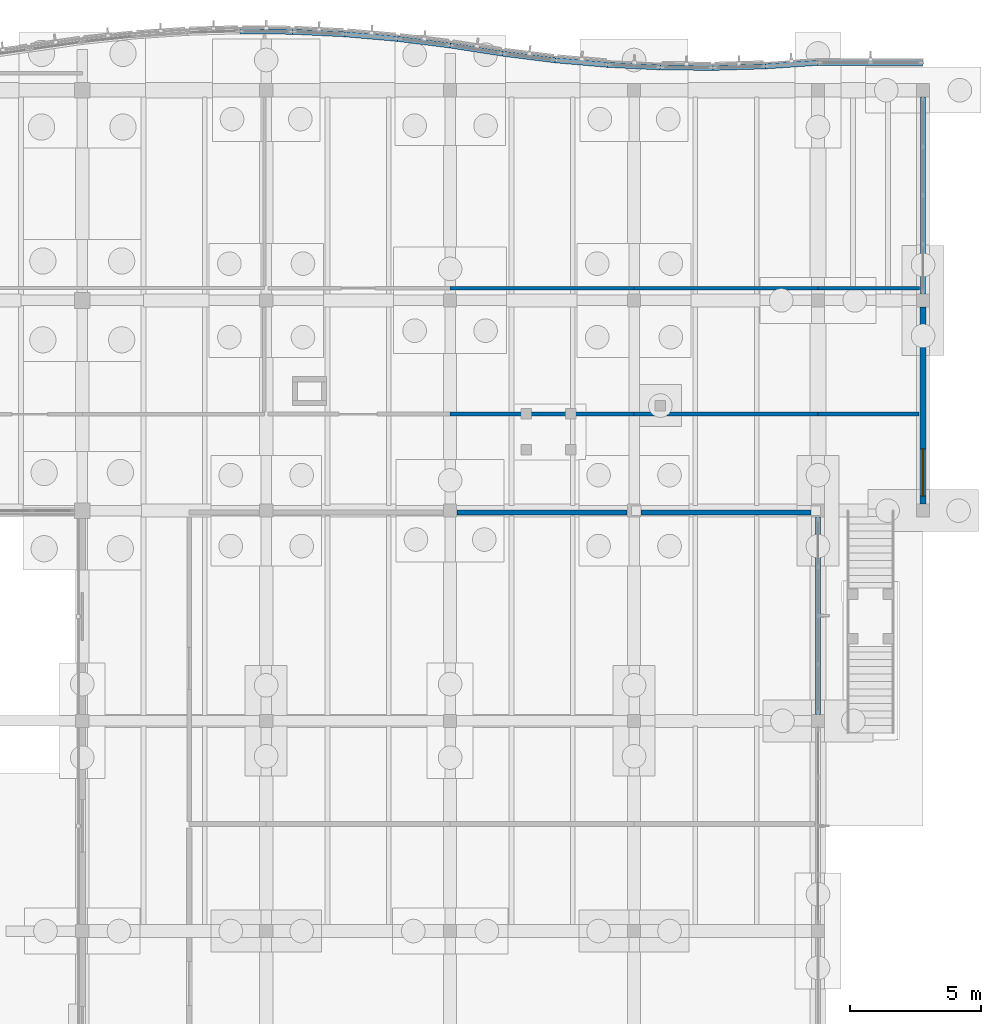
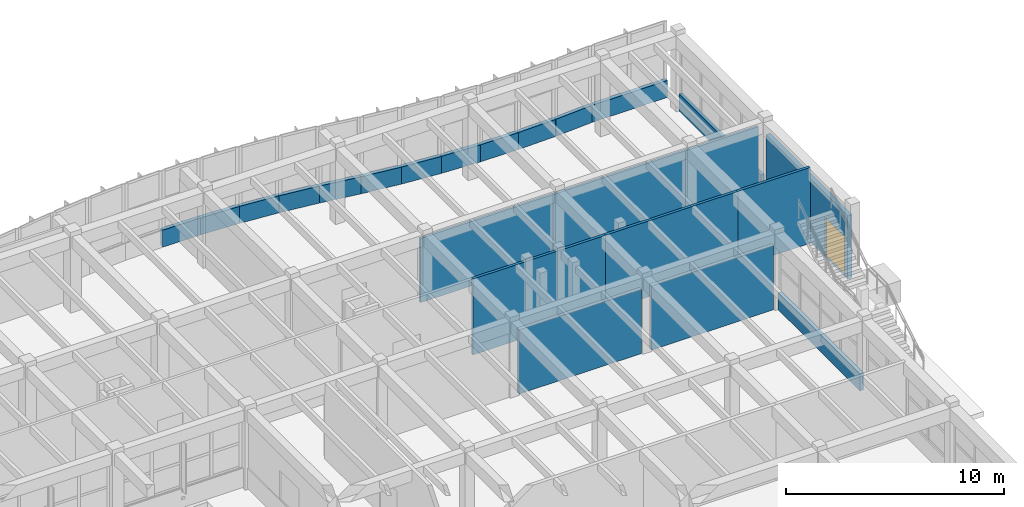
# One storey, part 71 of 99: 23 walls, 1 door, 1 opening.
"""IFC4 building model written with IfcOpenShell, lengths in metres."""

from ifc_helpers import new_model, si_unit, direction, frame, frame_2d, origin, place, context, subcontext, project, spatial, rectangle, extrude, material, layer, layer_set, type_object, element, fill, save


model = new_model("IFC4")

# Units and contexts
model_context = context("Model", 3, precision=1e-05, world=origin(), true_north=direction((0.0, 1.0)))
body_context = subcontext(model_context, "Body", "Model", "MODEL_VIEW")
ifc_project = project(units=[si_unit("LENGTHUNIT", "METRE"), si_unit("AREAUNIT", "SQUARE_METRE"), si_unit("VOLUMEUNIT", "CUBIC_METRE"), si_unit("PLANEANGLEUNIT", "RADIAN"), si_unit("MASSUNIT", "GRAM", prefix="KILO")], contexts=[model_context])

# Site, building, storey
site_placement = place(None, origin())
site = spatial("IfcSite", under=ifc_project, at=site_placement, CompositionType="ELEMENT")
building_placement = place(site_placement, origin())
building = spatial("IfcBuilding", under=site, at=building_placement, Name="Tonlespit Floodbar School", CompositionType="ELEMENT")
storey_placement = place(building_placement, origin())
storey = spatial("IfcBuildingStorey", under=building, at=storey_placement, Name="L00", CompositionType="ELEMENT", Elevation=0.0)

# Wall, opening, door
ifc_material_1 = material(Name="Precast concrete C40/50", Category="concrete")
ifc_layer_1 = layer(ifc_material_1, 0.239990234375)
ifc_layer_set_1 = layer_set([ifc_layer_1], Name="Precast concrete C40/50")
wall_type_1 = type_object("IfcWallType", Name="ExtWall_Rainscreen_240", PredefinedType="SOLIDWALL", material=ifc_layer_set_1)
wall_1_placement = place(storey_placement, frame((180.0, 111.75, 0.0), z_axis=(0.0, 0.0, 1.0), x_axis=(0.0, -1.0, 0.0)))
wall_1 = element("IfcWall", 1, at=wall_1_placement, inside=storey, type_object=wall_type_1, Name="L00 external wall 0542", PredefinedType="SOLIDWALL", context=body_context, shape_type="SweptSolid", body=[
    extrude(rectangle(XDim=7.5, YDim=0.239990234375, at=frame_2d((3.75, 0.0))), origin(), (0.0, 0.0, 1.0), 3.5400390625),
])
opening_placement = place(wall_1_placement, frame((5.39990234375, 0.0, 0.0)))
opening = element("IfcOpeningElement", 2, at=opening_placement, cuts=wall_1, Name="Opening D-EX-028", PredefinedType="OPENING", context=body_context, shape_type="SweptSolid", body=[
    extrude(rectangle(XDim=1.800048828125, YDim=2.199951171875, at=frame_2d((0.89990234375, 1.10009765625))), frame((0.0, 0.1298828125, 0.0), z_axis=(0.0, -1.0, 0.0), x_axis=(1.0, 0.0, 0.0)), (0.0, 0.0, 1.0), 0.260009765625),
])
ifc_material_2 = material(Name="Anodised Aluminium", Category="aluminium")
door_type = type_object("IfcDoorType", Name="ExtDoor_Exit_1800x2200", OperationType="NOTDEFINED", PredefinedType="DOOR", material=ifc_material_2)
door_placement = place(opening_placement, origin())
door = element("IfcDoor", 3, at=door_placement, inside=storey, type_object=door_type, Name="Final exit door D-EX-028", OperationType="SINGLE_SWING_RIGHT", OverallHeight=2.199951171875, OverallWidth=1.800048828125, PredefinedType="DOOR", context=body_context, shape_type="SweptSolid", body=[
    extrude(rectangle(XDim=1.800048828125, YDim=2.199951171875, at=frame_2d((0.89990234375, 1.10009765625))), frame((0.0, 0.02490234375, 0.0), z_axis=(0.0, -1.0, 0.0), x_axis=(1.0, 0.0, 0.0)), (0.0, 0.0, 1.0), 0.050048828125),
])
fill(opening, door)

# Walls
ifc_material_3 = material(Name="White Architectural Precast concrete C40/50", Category="concrete")
ifc_layer_2 = layer(ifc_material_3, 0.18505859375)
ifc_layer_set_2 = layer_set([ifc_layer_2], Name="White Architectural Precast concrete C40/50")
wall_type_2 = type_object("IfcWallType", Name="ExtWall_Spandrel_White_185", PredefinedType="SOLIDWALL", material=ifc_layer_set_2)
for number, where, z_axis, x_axis, name in (
    (4, (180.0, 119.75, 0.0), (0.0, 0.0, 1.0), (0.0, -1.0, 0.0), "L00 spandrel wall 0541"),
    (5, (176.0, 103.75, 0.0), (0.0, 0.0, 1.0), (0.0, -1.0, 0.0), "L00 spandrel wall 0547"),
):
    element("IfcWall", number, at=place(storey_placement, frame(where, z_axis=z_axis, x_axis=x_axis)), inside=storey, type_object=wall_type_2, Name=name, PredefinedType="SOLIDWALL", context=body_context, shape_type="SweptSolid", body=[
        extrude(rectangle(XDim=7.5, YDim=0.18505859375, at=frame_2d((3.75, 0.0))), origin(), (0.0, 0.0, 1.0), 0.949951171875),
    ])
ifc_layer_3 = layer(ifc_material_3, 0.199951171875)
ifc_layer_set_3 = layer_set([ifc_layer_3], Name="White Architectural Precast concrete C40/50")
wall_type_3 = type_object("IfcWallType", Name="ExtWall_Spandrel_White_200", PredefinedType="SOLIDWALL", material=ifc_layer_set_3)
wall_2_placement = place(storey_placement, frame((154.0, 122.2470703125, 0.0), z_axis=(0.0, 0.0, 1.0), x_axis=(0.999953504169, -0.009643106302, 0.0)))
element("IfcWall", 6, at=wall_2_placement, inside=storey, type_object=wall_type_3, Name="L00 spandrel wall 0529", PredefinedType="SOLIDWALL", context=body_context, shape_type="SweptSolid", body=[
    extrude(rectangle(XDim=2.0, YDim=0.199951171875, at=frame_2d((1.0, 0.0))), origin(), (0.0, 0.0, 1.0), 0.949951171875),
])
wall_3_placement = place(storey_placement, frame((156.0, 122.227783203125, 0.0), z_axis=(0.0, 0.0, 1.0), x_axis=(0.99884540439, -0.048040172037, 0.0)))
element("IfcWall", 7, at=wall_3_placement, inside=storey, type_object=wall_type_3, Name="L00 spandrel wall 0530", PredefinedType="SOLIDWALL", context=body_context, shape_type="SweptSolid", body=[
    extrude(rectangle(XDim=2.002197265625, YDim=0.199951171875, at=frame_2d((1.0009765625, 0.0))), origin(), (0.0, 0.0, 1.0), 0.949951171875),
])
wall_4_placement = place(storey_placement, frame((158.0, 122.131591796875, 0.0), z_axis=(0.0, 0.0, 1.0), x_axis=(0.996244237948, -0.086587633962, 0.0)))
element("IfcWall", 8, at=wall_4_placement, inside=storey, type_object=wall_type_3, Name="L00 spandrel wall 0531", PredefinedType="SOLIDWALL", context=body_context, shape_type="SweptSolid", body=[
    extrude(rectangle(XDim=2.007568359375, YDim=0.199951171875, at=frame_2d((1.00390625, 0.0))), origin(), (0.0, 0.0, 1.0), 0.949951171875),
])
wall_5_placement = place(storey_placement, frame((160.0, 121.957763671875, 0.0), z_axis=(0.0, 0.0, 1.0), x_axis=(0.992158168336, -0.124988675503, 0.0)))
element("IfcWall", 9, at=wall_5_placement, inside=storey, type_object=wall_type_3, Name="L00 spandrel wall 0532", PredefinedType="SOLIDWALL", context=body_context, shape_type="SweptSolid", body=[
    extrude(rectangle(XDim=2.015869140625, YDim=0.199951171875, at=frame_2d((1.0078125, 0.0))), origin(), (0.0, 0.0, 1.0), 0.949951171875),
])
wall_6_placement = place(storey_placement, frame((162.0, 121.705810546875, 0.0), z_axis=(0.0, 0.0, 1.0), x_axis=(0.988085509852, -0.153905897287, 0.0)))
element("IfcWall", 10, at=wall_6_placement, inside=storey, type_object=wall_type_3, Name="L00 spandrel wall 0533", PredefinedType="SOLIDWALL", context=body_context, shape_type="SweptSolid", body=[
    extrude(rectangle(XDim=2.024169921875, YDim=0.199951171875, at=frame_2d((1.01220703125, 0.0))), origin(), (0.0, 0.0, 1.0), 0.949951171875),
])
wall_7_placement = place(storey_placement, frame((164.0, 121.394287109375, 0.0), z_axis=(0.0, 0.0, 1.0), x_axis=(0.992158168336, -0.124988675503, 0.0)))
element("IfcWall", 11, at=wall_7_placement, inside=storey, type_object=wall_type_3, Name="L00 spandrel wall 0534", PredefinedType="SOLIDWALL", context=body_context, shape_type="SweptSolid", body=[
    extrude(rectangle(XDim=2.015869140625, YDim=0.199951171875, at=frame_2d((1.0078125, 0.0))), origin(), (0.0, 0.0, 1.0), 0.949951171875),
])
wall_8_placement = place(storey_placement, frame((166.0, 121.142333984375, 0.0), z_axis=(0.0, 0.0, 1.0), x_axis=(0.996244237948, -0.086587633962, 0.0)))
element("IfcWall", 12, at=wall_8_placement, inside=storey, type_object=wall_type_3, Name="L00 spandrel wall 0535", PredefinedType="SOLIDWALL", context=body_context, shape_type="SweptSolid", body=[
    extrude(rectangle(XDim=2.007568359375, YDim=0.199951171875, at=frame_2d((1.00390625, 0.0))), origin(), (0.0, 0.0, 1.0), 0.949951171875),
])
wall_9_placement = place(storey_placement, frame((168.0, 120.968505859375, 0.0), z_axis=(0.0, 0.0, 1.0), x_axis=(0.99884540439, -0.048040172037, 0.0)))
element("IfcWall", 13, at=wall_9_placement, inside=storey, type_object=wall_type_3, Name="L00 spandrel wall 0536", PredefinedType="SOLIDWALL", context=body_context, shape_type="SweptSolid", body=[
    extrude(rectangle(XDim=2.002197265625, YDim=0.199951171875, at=frame_2d((1.0009765625, 0.0))), origin(), (0.0, 0.0, 1.0), 0.949951171875),
])
wall_10_placement = place(storey_placement, frame((170.0, 120.872314453125, 0.0), z_axis=(0.0, 0.0, 1.0), x_axis=(0.999953504169, -0.009643106302, 0.0)))
element("IfcWall", 14, at=wall_10_placement, inside=storey, type_object=wall_type_3, Name="L00 spandrel wall 0537", PredefinedType="SOLIDWALL", context=body_context, shape_type="SweptSolid", body=[
    extrude(rectangle(XDim=2.0, YDim=0.199951171875, at=frame_2d((1.0, 0.0))), origin(), (0.0, 0.0, 1.0), 0.949951171875),
])
wall_11_placement = place(storey_placement, frame((172.0, 120.85302734375, 0.0), z_axis=(0.0, 0.0, 1.0), x_axis=(0.999585290582, 0.028796646555, 0.0)))
element("IfcWall", 15, at=wall_11_placement, inside=storey, type_object=wall_type_3, Name="L00 spandrel wall 0538", PredefinedType="SOLIDWALL", context=body_context, shape_type="SweptSolid", body=[
    extrude(rectangle(XDim=2.000732421875, YDim=0.199951171875, at=frame_2d((1.00048828125, 0.0))), origin(), (0.0, 0.0, 1.0), 0.949951171875),
])
wall_12_placement = place(storey_placement, frame((174.0, 120.91064453125, 0.0), z_axis=(0.0, 0.0, 1.0), x_axis=(0.997729302978, 0.067351599676, 0.0)))
element("IfcWall", 16, at=wall_12_placement, inside=storey, type_object=wall_type_3, Name="L00 spandrel wall 0539", PredefinedType="SOLIDWALL", context=body_context, shape_type="SweptSolid", body=[
    extrude(rectangle(XDim=2.004638671875, YDim=0.199951171875, at=frame_2d((1.00244140625, 0.0))), origin(), (0.0, 0.0, 1.0), 0.949951171875),
])
wall_13_placement = place(storey_placement, frame((176.0, 121.045654296875, 0.0), z_axis=(0.0, 0.0, 1.0), x_axis=(1.0, 0.0, 0.0)))
element("IfcWall", 17, at=wall_13_placement, inside=storey, type_object=wall_type_3, Name="L00 spandrel wall 0540", PredefinedType="SOLIDWALL", context=body_context, shape_type="SweptSolid", body=[
    extrude(rectangle(XDim=4.0, YDim=0.199951171875, at=frame_2d((2.0, 0.0))), origin(), (0.0, 0.0, 1.0), 0.949951171875),
])
ifc_material_4 = material(Name="Gypsum Plasterboard Partition")
ifc_layer_4 = layer(ifc_material_4, 0.1298828125)
ifc_layer_set_4 = layer_set([ifc_layer_4], Name="Gypsum Plasterboard Partition")
wall_type_4 = type_object("IfcWallType", Name="Partition_Gyp_130", PredefinedType="PARTITIONING", material=ifc_layer_set_4)
for number, where, z_axis, x_axis, name in (
    (18, (162.0, 112.469970703125, 0.0), (0.0, 0.0, 1.0), (1.0, 0.0, 0.0), "L00 partition wall 0330"),
    (19, (169.0, 112.469970703125, 0.0), (0.0, 0.0, 1.0), (1.0, 0.0, 0.0), "L00 partition wall 0331"),
):
    element("IfcWall", number, at=place(storey_placement, frame(where, z_axis=z_axis, x_axis=x_axis)), inside=storey, type_object=wall_type_4, Name=name, PredefinedType="PARTITIONING", context=body_context, shape_type="SweptSolid", body=[
        extrude(rectangle(XDim=7.0, YDim=0.1298828125, at=frame_2d((3.5, 0.0))), origin(), (0.0, 0.0, 1.0), 3.590087890625),
    ])
wall_14_placement = place(storey_placement, frame((176.0, 112.469970703125, 0.0), z_axis=(0.0, 0.0, 1.0), x_axis=(1.0, 0.0, 0.0)))
element("IfcWall", 20, at=wall_14_placement, inside=storey, type_object=wall_type_4, Name="L00 partition wall 0332", PredefinedType="PARTITIONING", context=body_context, shape_type="SweptSolid", body=[
    extrude(rectangle(XDim=3.865478515625, YDim=0.1298828125, at=frame_2d((1.9326171875, 0.0))), origin(), (0.0, 0.0, 1.0), 3.590087890625),
])
ifc_layer_5 = layer(ifc_material_4, 0.14990234375)
ifc_layer_set_5 = layer_set([ifc_layer_5], Name="Gypsum Plasterboard Partition")
wall_type_5 = type_object("IfcWallType", Name="Partition_Gyp_150", PredefinedType="PARTITIONING", material=ifc_layer_set_5)
for number, where, z_axis, x_axis, name in (
    (21, (162.0, 107.669921875, 0.0), (0.0, 0.0, 1.0), (1.0, 0.0, 0.0), "L00 partition wall 0339"),
    (22, (169.0, 107.669921875, 0.0), (0.0, 0.0, 1.0), (1.0, 0.0, 0.0), "L00 partition wall 0340"),
):
    element("IfcWall", number, at=place(storey_placement, frame(where, z_axis=z_axis, x_axis=x_axis)), inside=storey, type_object=wall_type_5, Name=name, PredefinedType="PARTITIONING", context=body_context, shape_type="SweptSolid", body=[
        extrude(rectangle(XDim=7.0, YDim=0.14990234375, at=frame_2d((3.5, 0.0))), origin(), (0.0, 0.0, 1.0), 4.239990234375),
    ])
wall_15_placement = place(storey_placement, frame((176.0, 107.669921875, 0.0), z_axis=(0.0, 0.0, 1.0), x_axis=(1.0, 0.0, 0.0)))
element("IfcWall", 23, at=wall_15_placement, inside=storey, type_object=wall_type_5, Name="L00 partition wall 0341", PredefinedType="PARTITIONING", context=body_context, shape_type="SweptSolid", body=[
    extrude(rectangle(XDim=3.837890625, YDim=0.14990234375, at=frame_2d((1.9189453125, 0.0))), origin(), (0.0, 0.0, 1.0), 4.239990234375),
])
ifc_layer_6 = layer(ifc_material_4, 0.18505859375)
ifc_layer_set_6 = layer_set([ifc_layer_6], Name="Gypsum Plasterboard Partition")
wall_type_6 = type_object("IfcWallType", Name="Partition_Gyp_185", PredefinedType="PARTITIONING", material=ifc_layer_set_6)
wall_16_placement = place(storey_placement, frame((162.264892578125, 103.929931640625, 0.0), z_axis=(0.0, 0.0, 1.0), x_axis=(1.0, 0.0, 0.0)))
element("IfcWall", 24, at=wall_16_placement, inside=storey, type_object=wall_type_6, Name="L00 partition wall 0348", PredefinedType="PARTITIONING", context=body_context, shape_type="SweptSolid", body=[
    extrude(rectangle(XDim=6.47021484375, YDim=0.18505859375, at=frame_2d((3.235107421875, 0.0))), origin(), (0.0, 0.0, 1.0), 3.590087890625),
])
wall_17_placement = place(storey_placement, frame((169.264892578125, 103.929931640625, 0.0), z_axis=(0.0, 0.0, 1.0), x_axis=(1.0, 0.0, 0.0)))
element("IfcWall", 25, at=wall_17_placement, inside=storey, type_object=wall_type_6, Name="L00 partition wall 0349", PredefinedType="PARTITIONING", context=body_context, shape_type="SweptSolid", body=[
    extrude(rectangle(XDim=6.465087890625, YDim=0.18505859375, at=frame_2d((3.232421875, 0.0))), origin(), (0.0, 0.0, 1.0), 3.590087890625),
])

save(model, "model.ifc")
